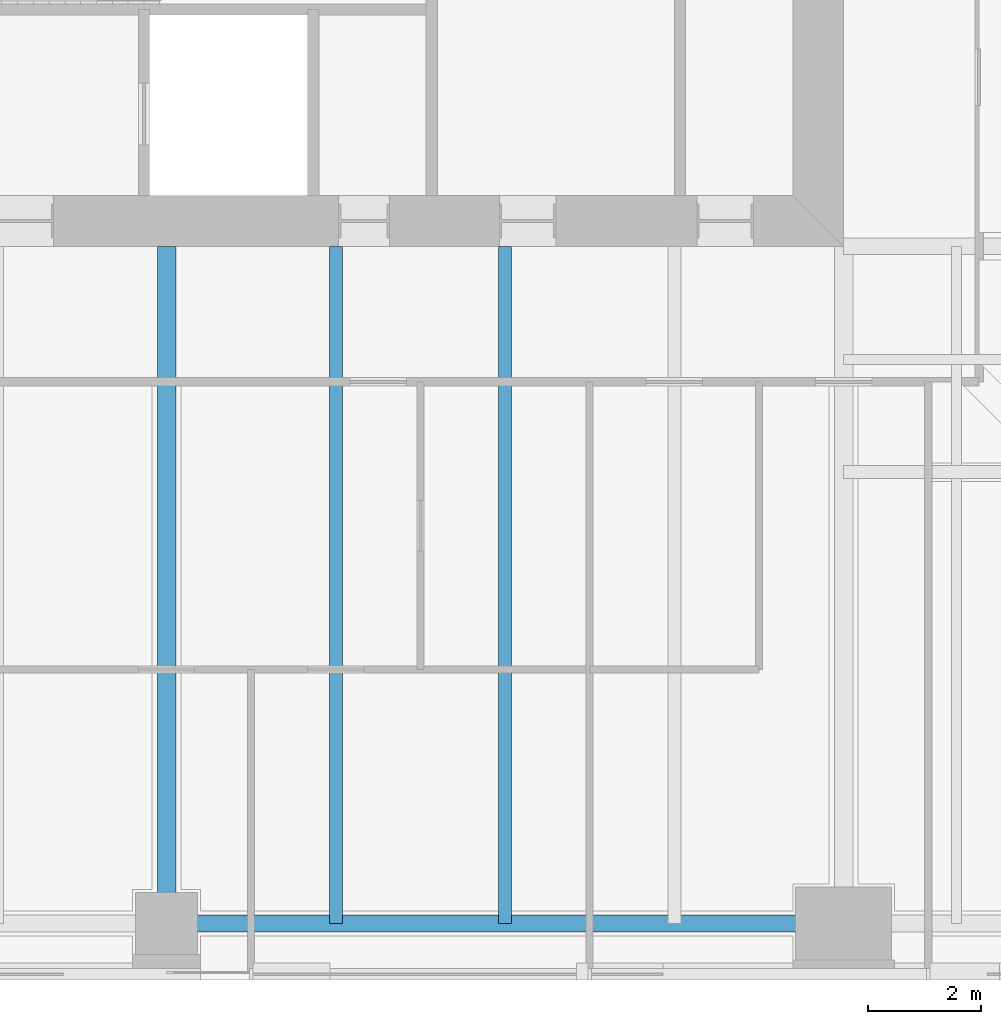
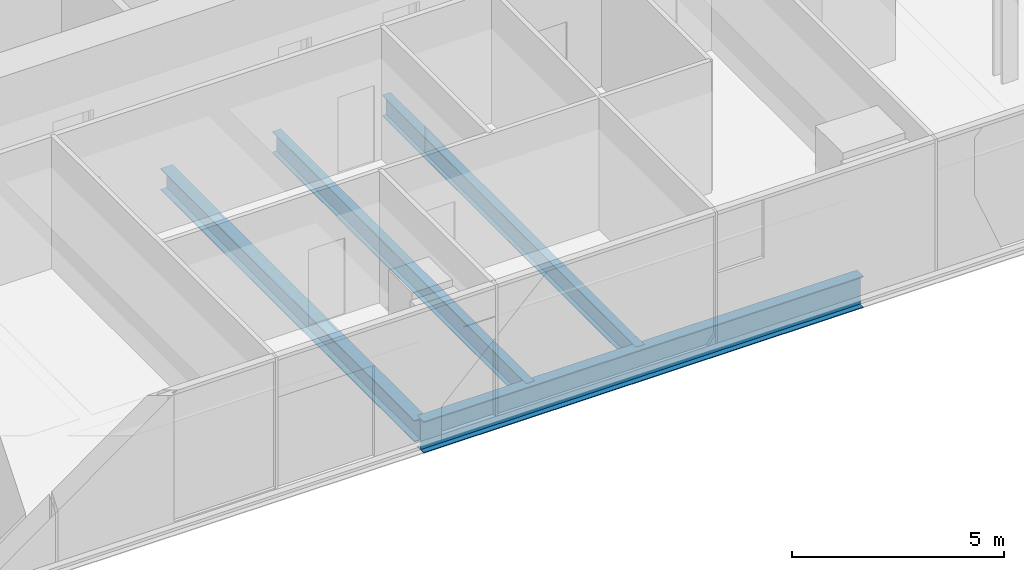
# One storey, part 3 of 15: 4 beams.
"""IFC4 building model written with IfcOpenShell, lengths in metres."""

from ifc_helpers import new_model, si_unit, direction, frame, origin, origin_2d, place, context, subcontext, project, spatial, i_section, extrude, material, material_profile, profile_set, type_object, element, save


model = new_model("IFC4")

# Units and contexts
model_context = context("Model", 3, precision=1e-05, world=origin(), true_north=direction((0.0, 1.0)))
body_context = subcontext(model_context, "Body", "Model", "MODEL_VIEW")
ifc_project = project(units=[si_unit("LENGTHUNIT", "METRE"), si_unit("AREAUNIT", "SQUARE_METRE"), si_unit("VOLUMEUNIT", "CUBIC_METRE"), si_unit("PLANEANGLEUNIT", "RADIAN"), si_unit("MASSUNIT", "GRAM", prefix="KILO")], contexts=[model_context])

# Site, building, storey
site_placement = place(None, origin())
site = spatial("IfcSite", under=ifc_project, at=site_placement, CompositionType="ELEMENT")
building_placement = place(site_placement, origin())
building = spatial("IfcBuilding", under=site, at=building_placement, Name="Fenwick Lantern Interchange", CompositionType="ELEMENT")
storey_placement = place(building_placement, frame((0.0, 0.0, 229.800048828125)))
storey = spatial("IfcBuildingStorey", under=building, at=storey_placement, Name="L54", CompositionType="ELEMENT", Elevation=229.800048828125)

# Beams
ifc_material = material(Name="Steel ASTM A992 Grade 50", Category="steel")
ifc_material_profile_1 = material_profile(ifc_material, i_section(OverallWidth=0.3046875, OverallDepth=0.911865234375, WebThickness=0.015869140625, FlangeThickness=0.02392578125, at=origin_2d()), Name="W36X150")
ifc_profile_set_1 = profile_set([ifc_material_profile_1], Name="Steel ASTM A992 Grade 50")
beam_type_1 = type_object("IfcBeamType", Name="EDGE BEAM W36X150", PredefinedType="SPANDREL", material=ifc_profile_set_1)
beam_1_placement = place(storey_placement, frame((25.0, 1.0, -0.60595703125), z_axis=(1.0, 0.0, 0.0), x_axis=(0.0, 1.0, 0.0)))
element("IfcBeam", 1, at=beam_1_placement, inside=storey, type_object=beam_type_1, Name="L54/FR/S/EB3", PredefinedType="SPANDREL", context=body_context, shape_type="SweptSolid", body=[
    extrude(i_section(OverallWidth=0.3046875, OverallDepth=0.911865234375, WebThickness=0.015869140625, FlangeThickness=0.02392578125, at=origin_2d()), origin(), (0.0, 0.0, 1.0), 12.0),
])
ifc_material_profile_2 = material_profile(ifc_material, i_section(OverallWidth=0.22900390625, OverallDepth=0.612060546875, WebThickness=0.011962890625, FlangeThickness=0.01953125, at=origin_2d()), Name="W24X84")
ifc_profile_set_2 = profile_set([ifc_material_profile_2], Name="Steel ASTM A992 Grade 50")
beam_type_2 = type_object("IfcBeamType", Name="FLOOR BEAM W24X84", PredefinedType="BEAM", material=ifc_profile_set_2)
for number, where, z_axis, x_axis, name in (
    (2, (28.0, 1.0, -0.4560546875), (0.0, 1.0, 0.0), (-1.0, 0.0, 0.0), "L54/FR/S/R06"),
    (3, (31.0, 1.0, -0.4560546875), (0.0, 1.0, 0.0), (-1.0, 0.0, 0.0), "L54/FR/S/R07"),
):
    element("IfcBeam", number, at=place(storey_placement, frame(where, z_axis=z_axis, x_axis=x_axis)), inside=storey, type_object=beam_type_2, Name=name, PredefinedType="BEAM", context=body_context, shape_type="SweptSolid", body=[
        extrude(i_section(OverallWidth=0.22900390625, OverallDepth=0.612060546875, WebThickness=0.011962890625, FlangeThickness=0.01953125, at=origin_2d()), origin(), (0.0, 0.0, 1.0), 12.0),
    ])
ifc_material_profile_3 = material_profile(ifc_material, i_section(OverallWidth=0.32763671875, OverallDepth=0.622314453125, WebThickness=0.015380859375, FlangeThickness=0.0244140625, at=origin_2d()), Name="W24X131")
ifc_profile_set_3 = profile_set([ifc_material_profile_3], Name="Steel ASTM A992 Grade 50")
beam_type_3 = type_object("IfcBeamType", Name="MOMENT-CONNECTED GIRDER W24X131", PredefinedType="BEAM", material=ifc_profile_set_3)
beam_2_placement = place(storey_placement, frame((25.0, 1.0, -0.461181640625), z_axis=(0.0, 1.0, 0.0), x_axis=(-1.0, 0.0, 0.0)))
element("IfcBeam", 4, at=beam_2_placement, inside=storey, type_object=beam_type_3, Name="L54/FR/S/R05", PredefinedType="BEAM", context=body_context, shape_type="SweptSolid", body=[
    extrude(i_section(OverallWidth=0.32763671875, OverallDepth=0.622314453125, WebThickness=0.015380859375, FlangeThickness=0.0244140625, at=origin_2d()), origin(), (0.0, 0.0, 1.0), 12.0),
])

save(model, "model.ifc")
